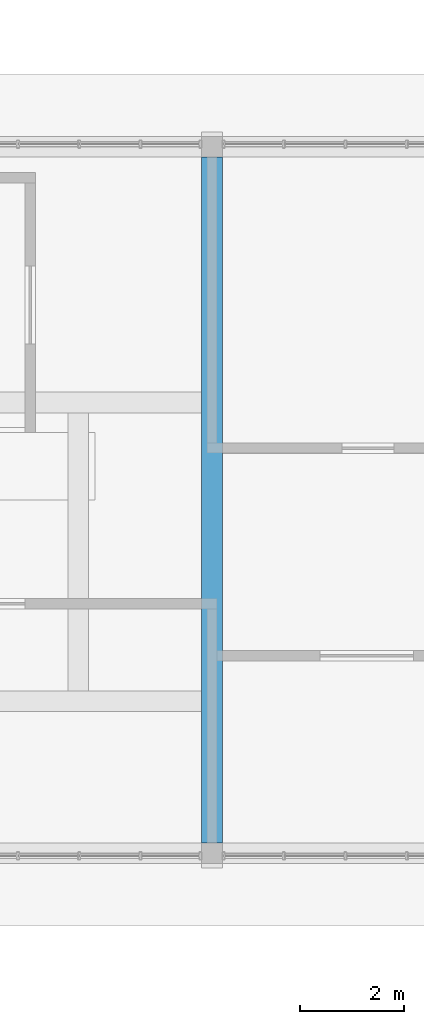
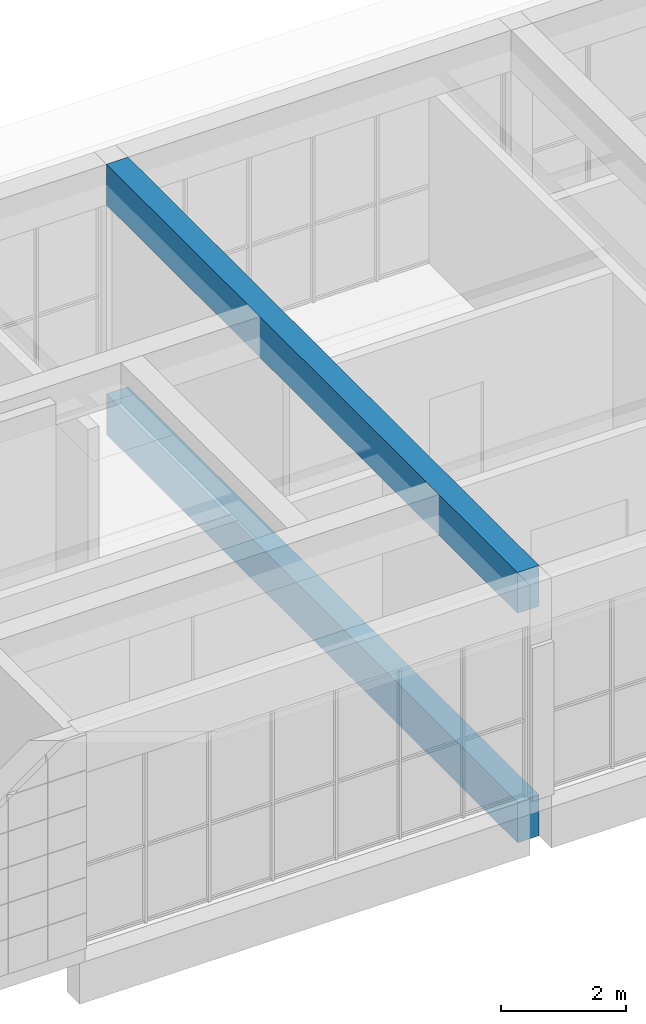
# One storey, part 12 of 92: 2 beams.
"""IFC4 building model written with IfcOpenShell, lengths in metres."""

from ifc_helpers import new_model, si_unit, direction, frame, origin, origin_2d, place, context, subcontext, project, spatial, rectangle, extrude, material, material_profile, profile_set, type_object, element, save


model = new_model("IFC4")

# Units and contexts
model_context = context("Model", 3, precision=1e-05, world=origin(), true_north=direction((0.0, 1.0)))
body_context = subcontext(model_context, "Body", "Model", "MODEL_VIEW")
ifc_project = project(units=[si_unit("LENGTHUNIT", "METRE"), si_unit("AREAUNIT", "SQUARE_METRE"), si_unit("VOLUMEUNIT", "CUBIC_METRE"), si_unit("PLANEANGLEUNIT", "RADIAN"), si_unit("MASSUNIT", "GRAM", prefix="KILO")], contexts=[model_context])

# Site, building, storey
site_placement = place(None, origin())
site = spatial("IfcSite", under=ifc_project, at=site_placement, CompositionType="ELEMENT")
building_placement = place(site_placement, origin())
building = spatial("IfcBuilding", under=site, at=building_placement, Name="Sun Court Science Centre", CompositionType="ELEMENT")
storey_placement = place(building_placement, frame((0.0, 0.0, 11.25)))
storey = spatial("IfcBuildingStorey", under=building, at=storey_placement, Name="L02", CompositionType="ELEMENT", Elevation=11.25)

# Beams
ifc_material = material(Name="Concrete C25/30", Category="concrete")
ifc_material_profile = material_profile(ifc_material, rectangle(XDim=0.39990234375, YDim=0.800048828125, at=origin_2d()), Name="RC 400x800")
ifc_profile_set = profile_set([ifc_material_profile], Name="Concrete C25/30")
beam_type = type_object("IfcBeamType", Name="RC girder 400x800", PredefinedType="BEAM", material=ifc_profile_set)
for number, where, z_axis, x_axis, name in (
    (1, (51.0, 36.39990234375, -0.699951171875), (0.0, 1.0, 0.0), (-1.0, 0.0, 0.0), "Girder L02 line 1"),
    (2, (51.0, 36.39990234375, 3.800048828125), (0.0, 1.0, 0.0), (-1.0, 0.0, 0.0), "Girder L03 line 1"),
):
    element("IfcBeam", number, at=place(storey_placement, frame(where, z_axis=z_axis, x_axis=x_axis)), inside=storey, type_object=beam_type, Name=name, PredefinedType="BEAM", context=body_context, shape_type="SweptSolid", body=[
        extrude(rectangle(XDim=0.39990234375, YDim=0.800048828125, at=origin_2d()), origin(), (0.0, 0.0, 1.0), 13.2001953125),
    ])

save(model, "model.ifc")
